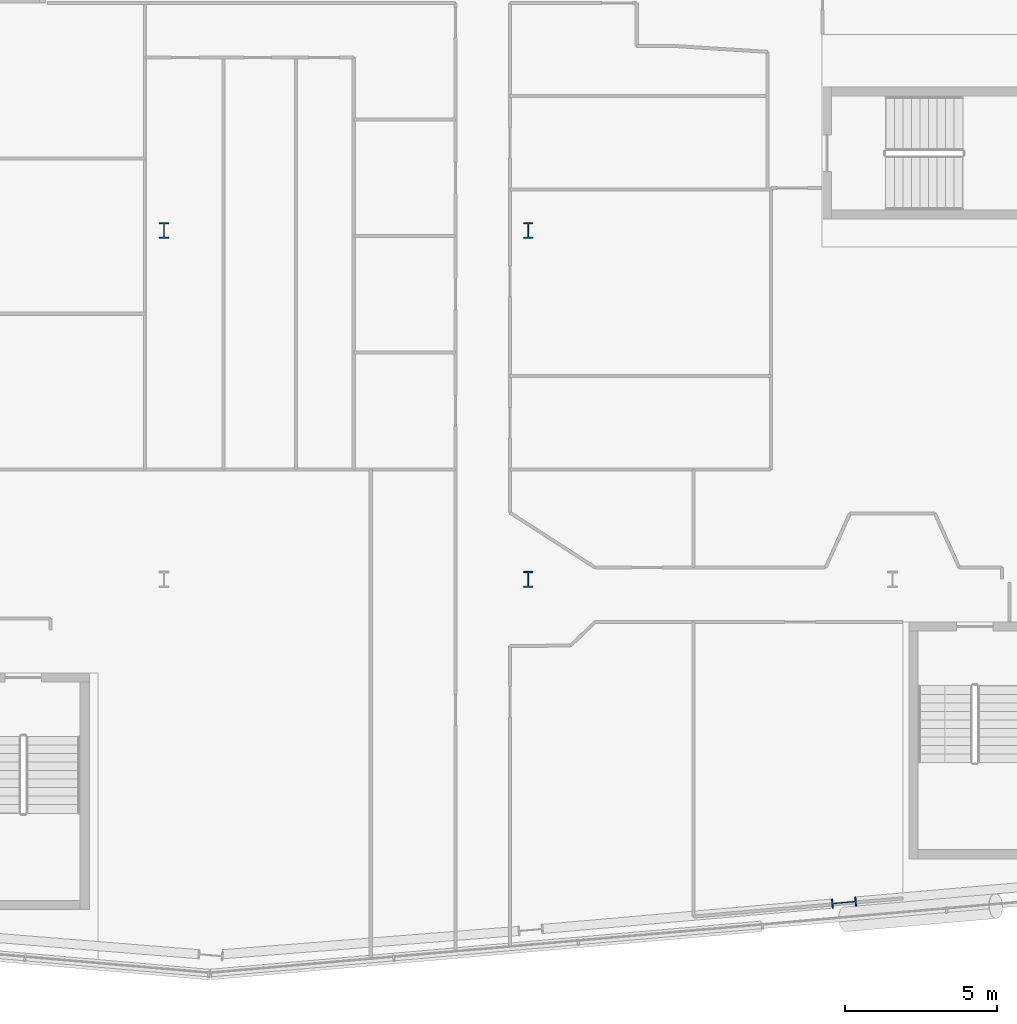
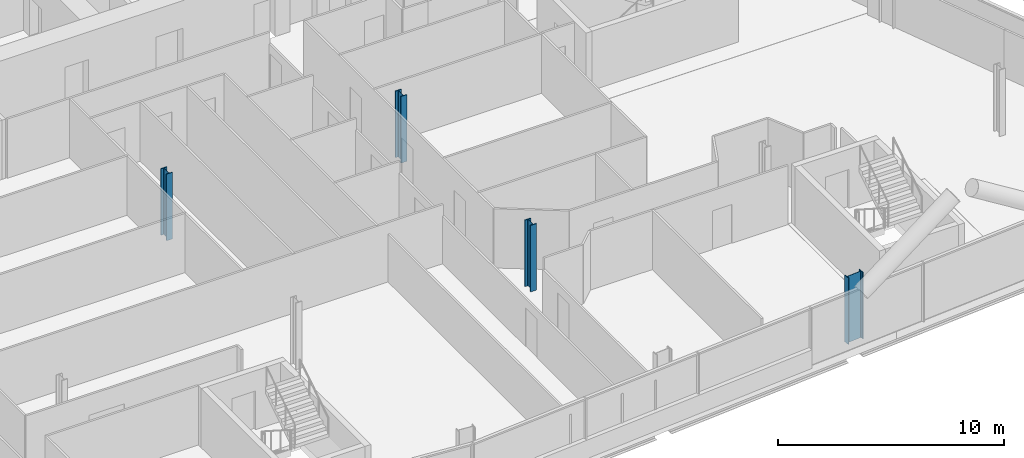
# One storey, part 2 of 26: 4 columns.
"""IFC4 building model written with IfcOpenShell, lengths in metres."""

from ifc_helpers import new_model, si_unit, direction, frame, origin, origin_2d, place, context, subcontext, project, spatial, i_section, extrude, material, material_profile, profile_set, type_object, element, save


model = new_model("IFC4")

# Units and contexts
model_context = context("Model", 3, precision=1e-05, world=origin(), true_north=direction((0.0, 1.0)))
body_context = subcontext(model_context, "Body", "Model", "MODEL_VIEW")
ifc_project = project(units=[si_unit("LENGTHUNIT", "METRE"), si_unit("AREAUNIT", "SQUARE_METRE"), si_unit("VOLUMEUNIT", "CUBIC_METRE"), si_unit("PLANEANGLEUNIT", "RADIAN"), si_unit("MASSUNIT", "GRAM", prefix="KILO")], contexts=[model_context])

# Site, building, storey
site_placement = place(None, origin())
site = spatial("IfcSite", under=ifc_project, at=site_placement, CompositionType="ELEMENT")
building_placement = place(site_placement, origin())
building = spatial("IfcBuilding", under=site, at=building_placement, Name="Wharfspan Tower", CompositionType="ELEMENT")
storey_placement = place(building_placement, frame((0.0, 0.0, 114.699951)))
storey = spatial("IfcBuildingStorey", under=building, at=storey_placement, Name="L26", CompositionType="ELEMENT", Elevation=114.699951)

# Columns
ifc_material = material(Name="Steel S355J2", Category="steel")
ifc_material_profile_1 = material_profile(ifc_material, i_section(OverallWidth=0.305908, OverallDepth=0.523926, WebThickness=0.020996, FlangeThickness=0.040039, FilletRadius=0.0271, at=origin_2d()))
ifc_profile_set_1 = profile_set([ifc_material_profile_1], Name="Steel S355J2")
column_type_1 = type_object("IfcColumnType", Name="Column HEM 500", PredefinedType="COLUMN", material=ifc_profile_set_1)
for number, where, z_axis, x_axis, name in (
    (1, (60.0, 11.5, 0.0), (0.0, 0.0, 1.0), (1.0, 0.0, 0.0), "Interior column I.1.5 L26"),
    (2, (48.0, 23.0, 0.0), (0.0, 0.0, 1.0), (1.0, 0.0, 0.0), "Interior column I.2.3 L26"),
    (3, (60.0, 23.0, 0.0), (0.0, 0.0, 1.0), (1.0, 0.0, 0.0), "Interior column I.2.4 L26"),
):
    element("IfcColumn", number, at=place(storey_placement, frame(where, z_axis=z_axis, x_axis=x_axis)), inside=storey, type_object=column_type_1, Name=name, PredefinedType="COLUMN", context=body_context, shape_type="SweptSolid", body=[
        extrude(i_section(OverallWidth=0.305908, OverallDepth=0.523926, WebThickness=0.020996, FlangeThickness=0.040039, FilletRadius=0.0271, at=origin_2d()), origin(), (0.0, 0.0, 1.0), 3.600098),
    ])
ifc_material_profile_2 = material_profile(ifc_material, i_section(OverallWidth=0.302979, OverallDepth=0.813965, WebThickness=0.020996, FlangeThickness=0.040039, FilletRadius=0.030029, at=origin_2d()))
ifc_profile_set_2 = profile_set([ifc_material_profile_2], Name="Steel S355J2")
column_type_2 = type_object("IfcColumnType", Name="Column HEM 800", PredefinedType="COLUMN", material=ifc_profile_set_2)
column_placement = place(storey_placement, frame((70.404053, 0.852783, 0.0), z_axis=(0.0, 0.0, 1.0), x_axis=(0.087156, -0.996198, 0.0)))
element("IfcColumn", 4, at=column_placement, inside=storey, type_object=column_type_2, Name="Perimeter column PS2.2 L26", PredefinedType="COLUMN", context=body_context, shape_type="SweptSolid", body=[
    extrude(i_section(OverallWidth=0.302979, OverallDepth=0.813965, WebThickness=0.020996, FlangeThickness=0.040039, FilletRadius=0.030029, at=origin_2d()), origin(), (0.0, 0.0, 1.0), 3.600098),
])

save(model, "model.ifc")
